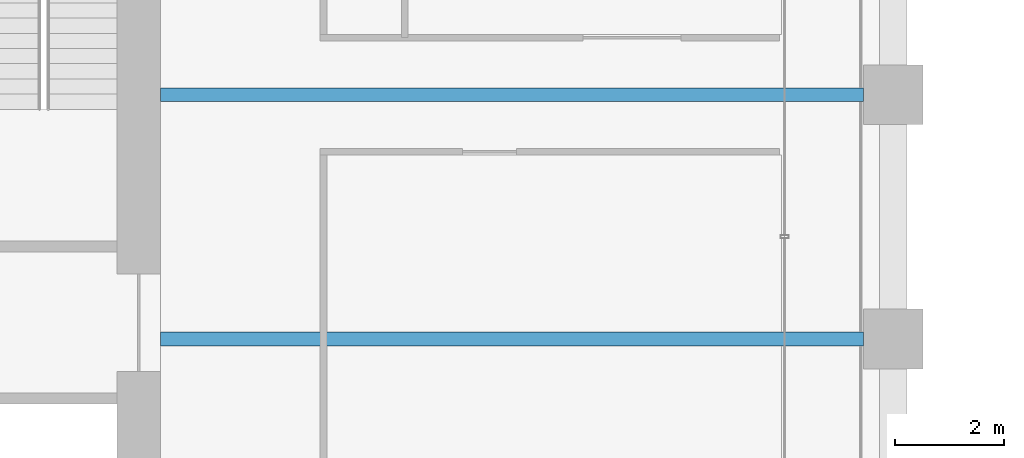
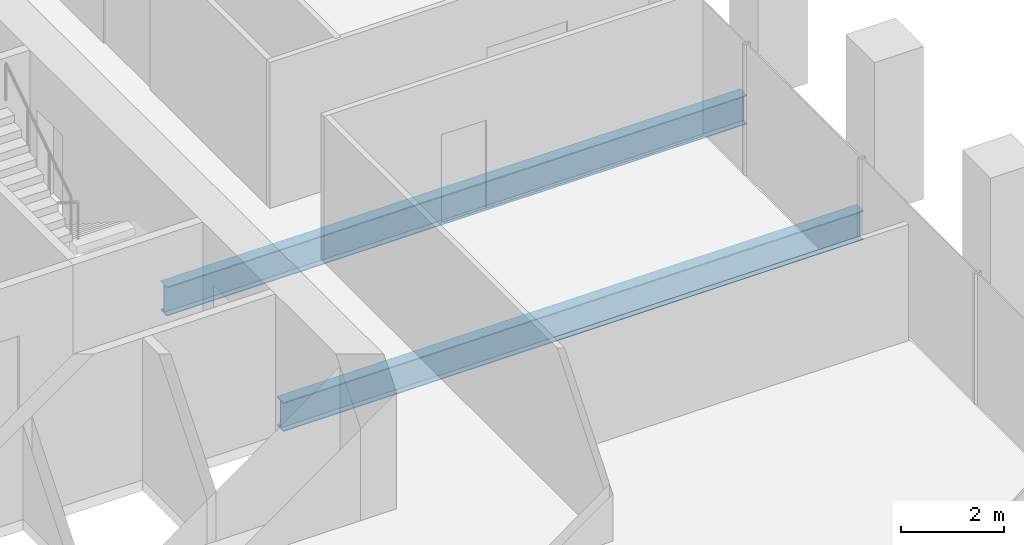
# One storey, part 19 of 54: 2 beams.
"""IFC4 building model written with IfcOpenShell, lengths in metres."""

from ifc_helpers import new_model, si_unit, direction, frame, origin, origin_2d, place, context, subcontext, project, spatial, i_section, extrude, material, material_profile, profile_set, type_object, element, save


model = new_model("IFC4")

# Units and contexts
model_context = context("Model", 3, precision=1e-05, world=origin(), true_north=direction((0.0, 1.0)))
body_context = subcontext(model_context, "Body", "Model", "MODEL_VIEW")
ifc_project = project(units=[si_unit("LENGTHUNIT", "METRE"), si_unit("AREAUNIT", "SQUARE_METRE"), si_unit("VOLUMEUNIT", "CUBIC_METRE"), si_unit("PLANEANGLEUNIT", "RADIAN"), si_unit("MASSUNIT", "GRAM", prefix="KILO")], contexts=[model_context])

# Site, building, storey
site_placement = place(None, origin())
site = spatial("IfcSite", under=ifc_project, at=site_placement, CompositionType="ELEMENT")
building_placement = place(site_placement, origin())
building = spatial("IfcBuilding", under=site, at=building_placement, Name="Altepetl Exchange Towers", CompositionType="ELEMENT")
storey_placement = place(building_placement, frame((0.0, 0.0, 58.199951171875)))
storey = spatial("IfcBuildingStorey", under=building, at=storey_placement, Name="L13", CompositionType="ELEMENT", Elevation=58.199951171875)

# Beams
ifc_material = material(Name="Steel S355", Category="steel")
ifc_material_profile = material_profile(ifc_material, i_section(OverallWidth=0.25390625, OverallDepth=0.68408203125, WebThickness=0.012451171875, FlangeThickness=0.018798828125, at=origin_2d()), Name="W27X94")
ifc_profile_set = profile_set([ifc_material_profile], Name="Steel S355")
beam_type = type_object("IfcBeamType", Name="Floor beam W27X94", PredefinedType="BEAM", material=ifc_profile_set)
for number, where, z_axis, x_axis, name in (
    (1, (58.5, 45.0, -0.491943359375), (1.0, 0.0, 0.0), (0.0, 1.0, 0.0), "bm:A:L13:009"),
    (2, (58.5, 49.5, -0.491943359375), (1.0, 0.0, 0.0), (0.0, 1.0, 0.0), "bm:A:L13:010"),
):
    element("IfcBeam", number, at=place(storey_placement, frame(where, z_axis=z_axis, x_axis=x_axis)), inside=storey, type_object=beam_type, Name=name, PredefinedType="BEAM", context=body_context, shape_type="SweptSolid", body=[
        extrude(i_section(OverallWidth=0.25390625, OverallDepth=0.68408203125, WebThickness=0.012451171875, FlangeThickness=0.018798828125, at=origin_2d()), origin(), (0.0, 0.0, 1.0), 12.949951171875),
    ])

save(model, "model.ifc")
